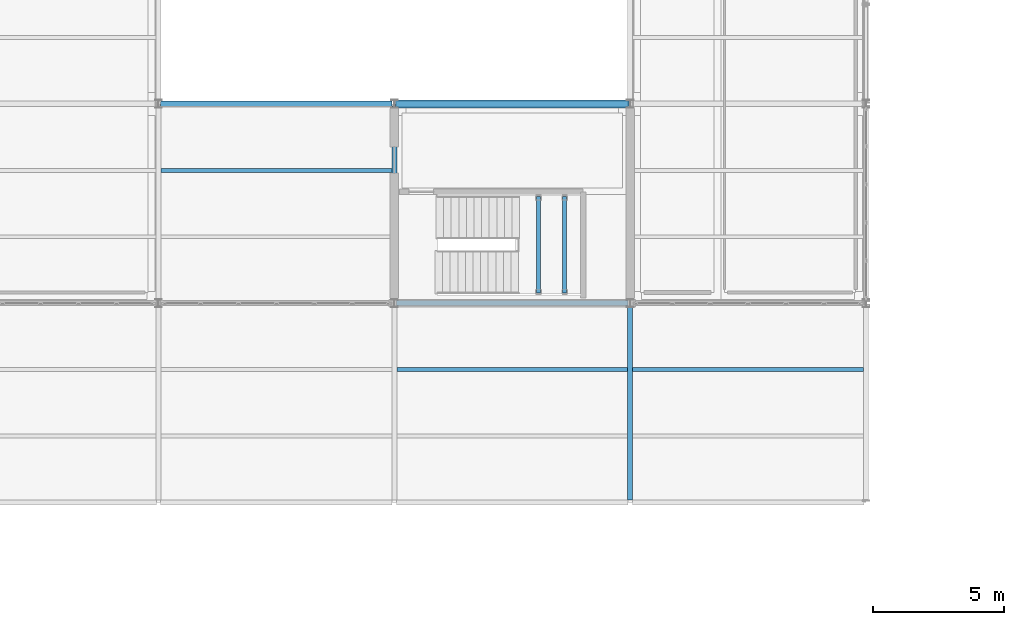
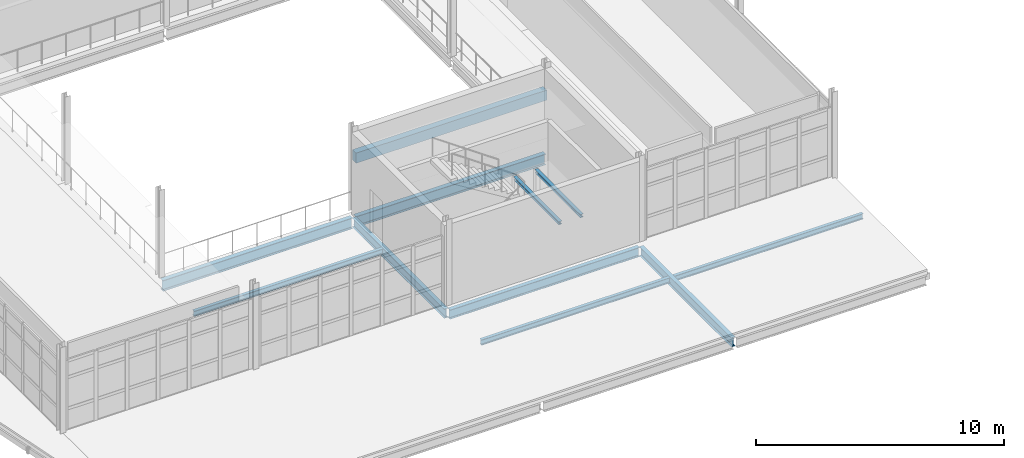
# One storey, part 57 of 96: 11 beams.
"""IFC4 building model written with IfcOpenShell, lengths in metres."""

from ifc_helpers import new_model, si_unit, direction, frame, origin, origin_2d, place, context, subcontext, project, spatial, rectangle, i_section, extrude, material, material_profile, profile_set, type_object, element, save


model = new_model("IFC4")

# Units and contexts
model_context = context("Model", 3, precision=1e-05, world=origin(), true_north=direction((0.0, 1.0)))
body_context = subcontext(model_context, "Body", "Model", "MODEL_VIEW")
ifc_project = project(units=[si_unit("LENGTHUNIT", "METRE"), si_unit("AREAUNIT", "SQUARE_METRE"), si_unit("VOLUMEUNIT", "CUBIC_METRE"), si_unit("PLANEANGLEUNIT", "RADIAN"), si_unit("MASSUNIT", "GRAM", prefix="KILO")], contexts=[model_context])

# Site, building, storey
site_placement = place(None, origin())
site = spatial("IfcSite", under=ifc_project, at=site_placement, CompositionType="ELEMENT")
building_placement = place(site_placement, origin())
building = spatial("IfcBuilding", under=site, at=building_placement, Name="Caisbarro Railhouse Central Library", CompositionType="ELEMENT")
storey_placement = place(building_placement, frame((0.0, 0.0, 13.679931640625)))
storey = spatial("IfcBuildingStorey", under=building, at=storey_placement, Name="L03", CompositionType="ELEMENT", Elevation=13.679931640625)

# Beams
ifc_material_1 = material(Name="Steel ASTM A572 Grade 50", Category="steel")
ifc_material_profile_1 = material_profile(ifc_material_1, i_section(OverallWidth=0.208984375, OverallDepth=0.532958984375, WebThickness=0.01025390625, FlangeThickness=0.015625, FilletRadius=0.02001953125, at=origin_2d()), Name="W530X92.0")
ifc_profile_set_1 = profile_set([ifc_material_profile_1], Name="Steel ASTM A572 Grade 50")
beam_type_1 = type_object("IfcBeamType", Name="BM-G06", PredefinedType="BEAM", material=ifc_profile_set_1)
for number, where, z_axis, x_axis, name in (
    (1, (126.080078125, 76.0, -0.486328125), (1.0, 0.0, 0.0), (0.0, 1.0, 0.0), "G06 beam L03 #1860"),
    (2, (135.080078125, 76.0, -0.486328125), (1.0, 0.0, 0.0), (0.0, 1.0, 0.0), "G06 beam L03 #1861"),
):
    element("IfcBeam", number, at=place(storey_placement, frame(where, z_axis=z_axis, x_axis=x_axis)), inside=storey, type_object=beam_type_1, Name=name, PredefinedType="BEAM", context=body_context, shape_type="SweptSolid", body=[
        extrude(i_section(OverallWidth=0.208984375, OverallDepth=0.532958984375, WebThickness=0.01025390625, FlangeThickness=0.015625, FilletRadius=0.02001953125, at=origin_2d()), origin(), (0.0, 0.0, 1.0), 8.83984375),
    ])
ifc_material_profile_2 = material_profile(ifc_material_1, i_section(OverallWidth=0.18994140625, OverallDepth=0.45703125, WebThickness=0.009033203125, FlangeThickness=0.014404296875, FilletRadius=0.01806640625, at=origin_2d()), Name="W460X74.0")
ifc_profile_set_2 = profile_set([ifc_material_profile_2], Name="Steel ASTM A572 Grade 50")
beam_type_2 = type_object("IfcBeamType", Name="BM-G08", PredefinedType="BEAM", material=ifc_profile_set_2)
beam_1_placement = place(storey_placement, frame((135.0, 68.47998046875, -0.448486328125), z_axis=(0.0, 1.0, 0.0), x_axis=(-1.0, 0.0, 0.0)))
element("IfcBeam", 3, at=beam_1_placement, inside=storey, type_object=beam_type_2, Name="G08 beam L03 #1893", PredefinedType="BEAM", context=body_context, shape_type="SweptSolid", body=[
    extrude(i_section(OverallWidth=0.18994140625, OverallDepth=0.45703125, WebThickness=0.009033203125, FlangeThickness=0.014404296875, FilletRadius=0.01806640625, at=origin_2d()), origin(), (0.0, 0.0, 1.0), 7.43994140625),
])
beam_2_placement = place(storey_placement, frame((144.0, 60.8798828125, -0.408447265625), z_axis=(0.0, 1.0, 0.0), x_axis=(-1.0, 0.0, 0.0)))
element("IfcBeam", 4, at=beam_2_placement, inside=storey, type_object=beam_type_2, Name="G08 beam L03 #2414", PredefinedType="BEAM", context=body_context, shape_type="SweptSolid", body=[
    extrude(i_section(OverallWidth=0.18994140625, OverallDepth=0.45703125, WebThickness=0.009033203125, FlangeThickness=0.014404296875, FilletRadius=0.01806640625, at=origin_2d()), origin(), (0.0, 0.0, 1.0), 7.440185546875),
])
ifc_material_profile_3 = material_profile(ifc_material_1, i_section(OverallWidth=0.14794921875, OverallDepth=0.26611328125, WebThickness=0.007568359375, FlangeThickness=0.012939453125, FilletRadius=0.010009765625, at=origin_2d()), Name="W250X44.8")
ifc_profile_set_3 = profile_set([ifc_material_profile_3], Name="Steel ASTM A572 Grade 50")
beam_type_3 = type_object("IfcBeamType", Name="BM-J04", PredefinedType="JOIST", material=ifc_profile_set_3)
for number, where, z_axis, x_axis, name in (
    (5, (126.094970703125, 73.466796875, -0.35302734375), (1.0, 0.0, 0.0), (0.0, 1.0, 0.0), "J04 beam L03 #1922"),
    (6, (135.094970703125, 65.86669921875, -0.31298828125), (1.0, 0.0, 0.0), (0.0, 1.0, 0.0), "J04 beam L03 #2421"),
):
    element("IfcBeam", number, at=place(storey_placement, frame(where, z_axis=z_axis, x_axis=x_axis)), inside=storey, type_object=beam_type_3, Name=name, PredefinedType="JOIST", context=body_context, shape_type="SweptSolid", body=[
        extrude(i_section(OverallWidth=0.14794921875, OverallDepth=0.26611328125, WebThickness=0.007568359375, FlangeThickness=0.012939453125, FilletRadius=0.010009765625, at=origin_2d()), origin(), (0.0, 0.0, 1.0), 8.81005859375),
    ])
beam_3_placement = place(storey_placement, frame((144.094970703125, 65.86669921875, -0.31298828125), z_axis=(1.0, 0.0, 0.0), x_axis=(0.0, 1.0, 0.0)))
element("IfcBeam", 7, at=beam_3_placement, inside=storey, type_object=beam_type_3, Name="J04 beam L03 #2423", PredefinedType="JOIST", context=body_context, shape_type="SweptSolid", body=[
    extrude(i_section(OverallWidth=0.14794921875, OverallDepth=0.26611328125, WebThickness=0.007568359375, FlangeThickness=0.012939453125, FilletRadius=0.010009765625, at=origin_2d()), origin(), (0.0, 0.0, 1.0), 8.804931640625),
])
ifc_material_2 = material(Name="Concrete C40", Category="concrete")
ifc_material_profile_4 = material_profile(ifc_material_2, rectangle(XDim=0.300048828125, YDim=0.5, at=origin_2d()), Name="RC-LIN-300X500")
ifc_profile_set_4 = profile_set([ifc_material_profile_4], Name="Concrete C40")
beam_type_4 = type_object("IfcBeamType", Name="BM-LN03", PredefinedType="LINTEL", material=ifc_profile_set_4)
beam_4_placement = place(storey_placement, frame((135.050048828125, 76.0, 2.699951171875), z_axis=(1.0, 0.0, 0.0), x_axis=(0.0, 1.0, 0.0)))
element("IfcBeam", 8, at=beam_4_placement, inside=storey, type_object=beam_type_4, Name="LN03 RC core coupling lintel K7 L03", PredefinedType="LINTEL", context=body_context, shape_type="SweptSolid", body=[
    extrude(rectangle(XDim=0.300048828125, YDim=0.5, at=origin_2d()), origin(), (0.0, 0.0, 1.0), 8.89990234375),
])
ifc_material_profile_5 = material_profile(ifc_material_1, i_section(OverallWidth=0.152099609375, OverallDepth=0.152099609375, WebThickness=0.005859375, FlangeThickness=0.006591796875, FilletRadius=0.008056640625, at=origin_2d()), Name="W150X22.5")
ifc_profile_set_5 = profile_set([ifc_material_profile_5], Name="Steel ASTM A572 Grade 50")
beam_type_5 = type_object("IfcBeamType", Name="BM-SL03", PredefinedType="BEAM", material=ifc_profile_set_5)
for number, where, z_axis, x_axis, name in (
    (9, (140.5, 68.780029296875, 1.89404296875), (0.0, 1.0, 0.0), (-1.0, 0.0, 0.0), "SL03 Stair Landing Support Beam K7 L03 W"),
    (10, (141.5, 68.780029296875, 1.89404296875), (0.0, 1.0, 0.0), (-1.0, 0.0, 0.0), "SL03 Stair Landing Support Beam K7 L03 E"),
):
    element("IfcBeam", number, at=place(storey_placement, frame(where, z_axis=z_axis, x_axis=x_axis)), inside=storey, type_object=beam_type_5, Name=name, PredefinedType="BEAM", context=body_context, shape_type="SweptSolid", body=[
        extrude(i_section(OverallWidth=0.152099609375, OverallDepth=0.152099609375, WebThickness=0.005859375, FlangeThickness=0.006591796875, FilletRadius=0.008056640625, at=origin_2d()), origin(), (0.0, 0.0, 1.0), 3.68994140625),
    ])
ifc_material_profile_6 = material_profile(ifc_material_1, i_section(OverallWidth=0.18994140625, OverallDepth=0.45703125, WebThickness=0.009033203125, FlangeThickness=0.014404296875, FilletRadius=0.01806640625, at=origin_2d()), Name="W460X74.0")
ifc_profile_set_6 = profile_set([ifc_material_profile_6], Name="Steel ASTM A572 Grade 50")
beam_type_6 = type_object("IfcBeamType", Name="BM-SP01", PredefinedType="SPANDREL", material=ifc_profile_set_6)
beam_5_placement = place(storey_placement, frame((135.080078125, 68.39990234375, -0.448486328125), z_axis=(1.0, 0.0, 0.0), x_axis=(0.0, 1.0, 0.0)))
element("IfcBeam", 11, at=beam_5_placement, inside=storey, type_object=beam_type_6, Name="SP01 beam L03 #1857", PredefinedType="SPANDREL", context=body_context, shape_type="SweptSolid", body=[
    extrude(i_section(OverallWidth=0.18994140625, OverallDepth=0.45703125, WebThickness=0.009033203125, FlangeThickness=0.014404296875, FilletRadius=0.01806640625, at=origin_2d()), origin(), (0.0, 0.0, 1.0), 8.83984375),
])

save(model, "model.ifc")
